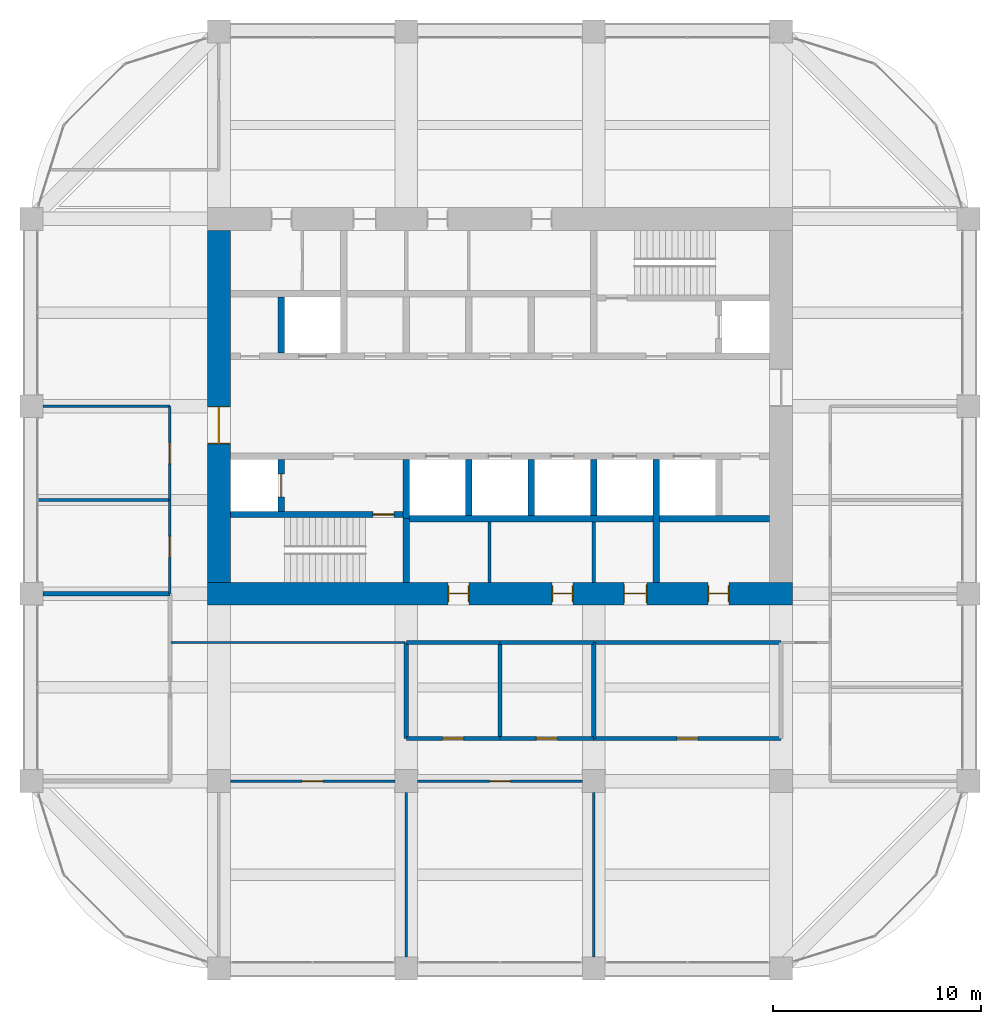
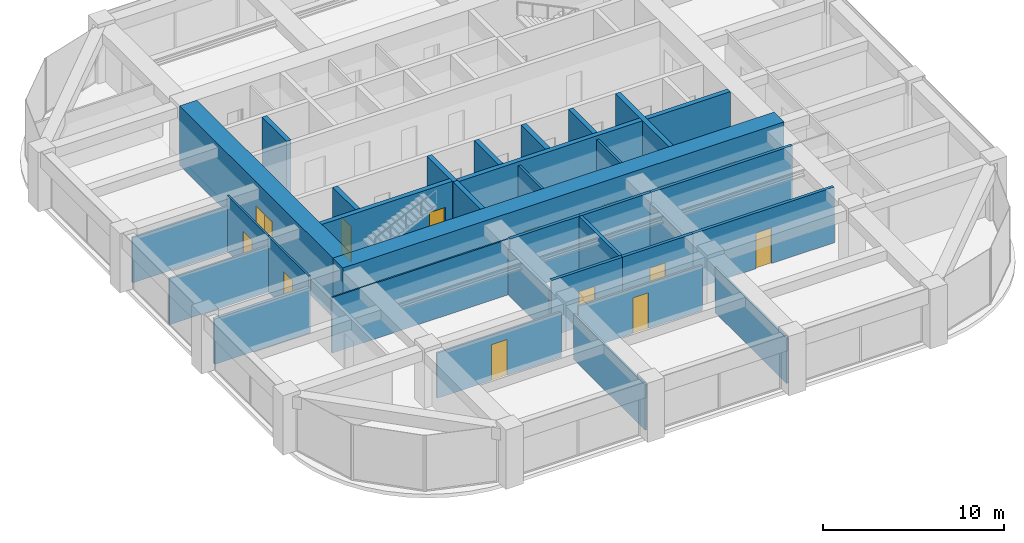
# One storey, part 41 of 44: 33 walls, 14 doors, 14 openings.
"""IFC4 building model written with IfcOpenShell, lengths in metres."""

from ifc_helpers import new_model, si_unit, direction, frame, frame_2d, origin, place, context, subcontext, project, spatial, rectangle, extrude, material, layer, layer_set, type_object, element, fill, save


model = new_model("IFC4")

# Units and contexts
model_context = context("Model", 3, precision=1e-05, world=origin(), true_north=direction((0.0, 1.0)))
body_context = subcontext(model_context, "Body", "Model", "MODEL_VIEW")
ifc_project = project(units=[si_unit("LENGTHUNIT", "METRE"), si_unit("AREAUNIT", "SQUARE_METRE"), si_unit("VOLUMEUNIT", "CUBIC_METRE"), si_unit("PLANEANGLEUNIT", "RADIAN"), si_unit("MASSUNIT", "GRAM", prefix="KILO")], contexts=[model_context])

# Site, building, storey
site_placement = place(None, origin())
site = spatial("IfcSite", under=ifc_project, at=site_placement, CompositionType="ELEMENT")
building_placement = place(site_placement, origin())
building = spatial("IfcBuilding", under=site, at=building_placement, Name="Zorevar Civic Tower", CompositionType="ELEMENT")
storey_placement = place(building_placement, frame((0.0, 0.0, 263.39990234375)))
storey = spatial("IfcBuildingStorey", under=building, at=storey_placement, Name="L64", CompositionType="ELEMENT", Elevation=263.39990234375)

# Wall, opening, door
ifc_material_1 = material(Name="Concrete blockwork", Category="masonry")
ifc_layer_1 = layer(ifc_material_1, 0.199951171875)
ifc_layer_set_1 = layer_set([ifc_layer_1], Name="Blockwork wall 200")
wall_type_1 = type_object("IfcWallType", Name="Blockwork wall 200", PredefinedType="SOLIDWALL", material=ifc_layer_set_1)
wall_1_placement = place(storey_placement, frame((36.0, 11.050048828125, 0.0), z_axis=(0.0, 0.0, 1.0), x_axis=(1.0, 0.0, 0.0)))
wall_1 = element("IfcWall", 1, at=wall_1_placement, inside=storey, type_object=wall_type_1, Name="Blockwork wall 200 L64", PredefinedType="SOLIDWALL", context=body_context, shape_type="SweptSolid", body=[
    extrude(rectangle(XDim=9.0, YDim=0.199951171875, at=frame_2d((4.5, 0.0))), origin(), (0.0, 0.0, 1.0), 3.75),
])
opening_1_placement = place(wall_1_placement, frame((4.0, 0.0, 0.0)))
opening_1 = element("IfcOpeningElement", 2, at=opening_1_placement, cuts=wall_1, Name="Opening L64.19", PredefinedType="OPENING", context=body_context, shape_type="SweptSolid", body=[
    extrude(rectangle(XDim=1.0, YDim=2.39990234375, at=frame_2d((0.5, 1.199951171875))), frame((0.0, 0.10986328125, 0.0), z_axis=(0.0, -1.0, 0.0), x_axis=(1.0, 0.0, 0.0)), (0.0, 0.0, 1.0), 0.219970703125),
])
ifc_material_2 = material(Name="Steel door set", Category="steel")
door_type_1 = type_object("IfcDoorType", Name="Security door SD1 1000x2400", OperationType="SINGLE_SWING_LEFT", PredefinedType="DOOR", material=ifc_material_2)
door_1_placement = place(opening_1_placement, origin())
door_1 = element("IfcDoor", 3, at=door_1_placement, inside=storey, type_object=door_type_1, Name="Door L64 D1", OperationType="SINGLE_SWING_RIGHT", OverallHeight=2.39990234375, OverallWidth=1.0, PredefinedType="DOOR", context=body_context, shape_type="SweptSolid", body=[
    extrude(rectangle(XDim=1.0, YDim=2.39990234375, at=frame_2d((0.5, 1.199951171875))), frame((0.0, 0.03515625, 0.0), z_axis=(0.0, -1.0, 0.0), x_axis=(1.0, 0.0, 0.0)), (0.0, 0.0, 1.0), 0.070068359375),
])
fill(opening_1, door_1)

wall_2_placement = place(storey_placement, frame((27.0, 11.050048828125, 0.0), z_axis=(0.0, 0.0, 1.0), x_axis=(1.0, 0.0, 0.0)))
wall_2 = element("IfcWall", 4, at=wall_2_placement, inside=storey, type_object=wall_type_1, Name="Blockwork wall 200 L64", PredefinedType="SOLIDWALL", context=body_context, shape_type="SweptSolid", body=[
    extrude(rectangle(XDim=4.5, YDim=0.199951171875, at=frame_2d((2.25, 0.0))), origin(), (0.0, 0.0, 1.0), 3.75),
])
opening_2_placement = place(wall_2_placement, frame((1.75, 0.0, 0.0)))
opening_2 = element("IfcOpeningElement", 5, at=opening_2_placement, cuts=wall_2, Name="Opening L64.20", PredefinedType="OPENING", context=body_context, shape_type="SweptSolid", body=[
    extrude(rectangle(XDim=1.0, YDim=2.39990234375, at=frame_2d((0.5, 1.199951171875))), frame((0.0, 0.10986328125, 0.0), z_axis=(0.0, -1.0, 0.0), x_axis=(1.0, 0.0, 0.0)), (0.0, 0.0, 1.0), 0.219970703125),
])
door_2_placement = place(opening_2_placement, origin())
door_2 = element("IfcDoor", 6, at=door_2_placement, inside=storey, type_object=door_type_1, Name="Door L64 D1", OperationType="SINGLE_SWING_LEFT", OverallHeight=2.39990234375, OverallWidth=1.0, PredefinedType="DOOR", context=body_context, shape_type="SweptSolid", body=[
    extrude(rectangle(XDim=1.0, YDim=2.39990234375, at=frame_2d((0.5, 1.199951171875))), frame((0.0, 0.03515625, 0.0), z_axis=(0.0, -1.0, 0.0), x_axis=(1.0, 0.0, 0.0)), (0.0, 0.0, 1.0), 0.070068359375),
])
fill(opening_2, door_2)

wall_3_placement = place(storey_placement, frame((31.5, 11.050048828125, 0.0), z_axis=(0.0, 0.0, 1.0), x_axis=(1.0, 0.0, 0.0)))
wall_3 = element("IfcWall", 7, at=wall_3_placement, inside=storey, type_object=wall_type_1, Name="Blockwork wall 200 L64", PredefinedType="SOLIDWALL", context=body_context, shape_type="SweptSolid", body=[
    extrude(rectangle(XDim=4.5, YDim=0.199951171875, at=frame_2d((2.25, 0.0))), origin(), (0.0, 0.0, 1.0), 3.75),
])
opening_3_placement = place(wall_3_placement, frame((1.75, 0.0, 0.0)))
opening_3 = element("IfcOpeningElement", 8, at=opening_3_placement, cuts=wall_3, Name="Opening L64.21", PredefinedType="OPENING", context=body_context, shape_type="SweptSolid", body=[
    extrude(rectangle(XDim=1.0, YDim=2.39990234375, at=frame_2d((0.5, 1.199951171875))), frame((0.0, 0.10986328125, 0.0), z_axis=(0.0, -1.0, 0.0), x_axis=(1.0, 0.0, 0.0)), (0.0, 0.0, 1.0), 0.219970703125),
])
door_3_placement = place(opening_3_placement, origin())
door_3 = element("IfcDoor", 9, at=door_3_placement, inside=storey, type_object=door_type_1, Name="Door L64 D1", OperationType="SINGLE_SWING_RIGHT", OverallHeight=2.39990234375, OverallWidth=1.0, PredefinedType="DOOR", context=body_context, shape_type="SweptSolid", body=[
    extrude(rectangle(XDim=1.0, YDim=2.39990234375, at=frame_2d((0.5, 1.199951171875))), frame((0.0, 0.03515625, 0.0), z_axis=(0.0, -1.0, 0.0), x_axis=(1.0, 0.0, 0.0)), (0.0, 0.0, 1.0), 0.070068359375),
])
fill(opening_3, door_3)

# Walls
wall_4_placement = place(storey_placement, frame((36.0, 15.64990234375, 0.0), z_axis=(0.0, 0.0, 1.0), x_axis=(1.0, 0.0, 0.0)))
element("IfcWall", 10, at=wall_4_placement, inside=storey, type_object=wall_type_1, Name="Blockwork wall 200 L64", PredefinedType="SOLIDWALL", context=body_context, shape_type="SweptSolid", body=[
    extrude(rectangle(XDim=9.0, YDim=0.199951171875, at=frame_2d((4.5, 0.0))), origin(), (0.0, 0.0, 1.0), 3.75),
])
for number, where, z_axis, x_axis, name in (
    (11, (27.0, 15.64990234375, 0.0), (0.0, 0.0, 1.0), (1.0, 0.0, 0.0), "Blockwork wall 200 L64"),
    (12, (31.5, 15.64990234375, 0.0), (0.0, 0.0, 1.0), (1.0, 0.0, 0.0), "Blockwork wall 200 L64"),
):
    element("IfcWall", number, at=place(storey_placement, frame(where, z_axis=z_axis, x_axis=x_axis)), inside=storey, type_object=wall_type_1, Name=name, PredefinedType="SOLIDWALL", context=body_context, shape_type="SweptSolid", body=[
        extrude(rectangle(XDim=4.5, YDim=0.199951171875, at=frame_2d((2.25, 0.0))), origin(), (0.0, 0.0, 1.0), 3.75),
    ])
wall_5_placement = place(storey_placement, frame((9.550048828125, 18.0, 0.0), z_axis=(0.0, 0.0, 1.0), x_axis=(1.0, 0.0, 0.0)))
element("IfcWall", 13, at=wall_5_placement, inside=storey, type_object=wall_type_1, Name="Blockwork wall 200 L64", PredefinedType="SOLIDWALL", context=body_context, shape_type="SweptSolid", body=[
    extrude(rectangle(XDim=6.099853515625, YDim=0.199951171875, at=frame_2d((3.0498046875, 0.0))), origin(), (0.0, 0.0, 1.0), 3.050048828125),
])
wall_6_placement = place(storey_placement, frame((27.0, 11.050048828125, 0.0), z_axis=(0.0, 0.0, 1.0), x_axis=(0.0, 1.0, 0.0)))
element("IfcWall", 14, at=wall_6_placement, inside=storey, type_object=wall_type_1, Name="Blockwork wall 200 L64", PredefinedType="SOLIDWALL", context=body_context, shape_type="SweptSolid", body=[
    extrude(rectangle(XDim=4.599853515625, YDim=0.199951171875, at=frame_2d((2.2998046875, 0.0))), origin(), (0.0, 0.0, 1.0), 3.050048828125),
])
wall_7_placement = place(storey_placement, frame((31.5, 11.050048828125, 0.0), z_axis=(0.0, 0.0, 1.0), x_axis=(0.0, 1.0, 0.0)))
element("IfcWall", 15, at=wall_7_placement, inside=storey, type_object=wall_type_1, Name="Blockwork wall 200 L64", PredefinedType="SOLIDWALL", context=body_context, shape_type="SweptSolid", body=[
    extrude(rectangle(XDim=4.599853515625, YDim=0.199951171875, at=frame_2d((2.2998046875, 0.0))), origin(), (0.0, 0.0, 1.0), 3.75),
])
wall_8_placement = place(storey_placement, frame((36.0, 11.050048828125, 0.0), z_axis=(0.0, 0.0, 1.0), x_axis=(0.0, 1.0, 0.0)))
element("IfcWall", 16, at=wall_8_placement, inside=storey, type_object=wall_type_1, Name="Blockwork wall 200 L64", PredefinedType="SOLIDWALL", context=body_context, shape_type="SweptSolid", body=[
    extrude(rectangle(XDim=4.599853515625, YDim=0.199951171875, at=frame_2d((2.2998046875, 0.0))), origin(), (0.0, 0.0, 1.0), 3.050048828125),
])

# Wall, openings, doors
ifc_material_3 = material(Name="Concrete C50/60", Category="concrete")
ifc_layer_2 = layer(ifc_material_3, 1.10009765625)
ifc_layer_set_2 = layer_set([ifc_layer_2], Name="Core wall 1100")
wall_type_2 = type_object("IfcWallType", Name="Core wall 1100", PredefinedType="SHEAR", material=ifc_layer_set_2)
wall_9_placement = place(storey_placement, frame((17.449951171875, 18.0, 0.0), z_axis=(0.0, 0.0, 1.0), x_axis=(1.0, 0.0, 0.0)))
wall_9 = element("IfcWall", 17, at=wall_9_placement, inside=storey, type_object=wall_type_2, Name="Core wall S L64", PredefinedType="SHEAR", context=body_context, shape_type="SweptSolid", body=[
    extrude(rectangle(XDim=28.10009765625, YDim=1.10009765625, at=frame_2d((14.050048828125, 0.0))), origin(), (0.0, 0.0, 1.0), 4.0),
])
opening_4_placement = place(wall_9_placement, frame((11.550048828125, 0.0, 0.0)))
opening_4 = element("IfcOpeningElement", 18, at=opening_4_placement, cuts=wall_9, Name="Opening L64.03", PredefinedType="OPENING", context=body_context, shape_type="SweptSolid", body=[
    extrude(rectangle(XDim=1.0, YDim=2.39990234375, at=frame_2d((0.5, 1.199951171875))), frame((0.0, 0.56005859375, 0.0), z_axis=(0.0, -1.0, 0.0), x_axis=(1.0, 0.0, 0.0)), (0.0, 0.0, 1.0), 1.1201171875),
])
opening_5_placement = place(wall_9_placement, frame((16.550048828125, 0.0, 0.0)))
opening_5 = element("IfcOpeningElement", 19, at=opening_5_placement, cuts=wall_9, Name="Opening L64.04", PredefinedType="OPENING", context=body_context, shape_type="SweptSolid", body=[
    extrude(rectangle(XDim=1.0, YDim=2.39990234375, at=frame_2d((0.5, 1.199951171875))), frame((0.0, 0.56005859375, 0.0), z_axis=(0.0, -1.0, 0.0), x_axis=(1.0, 0.0, 0.0)), (0.0, 0.0, 1.0), 1.1201171875),
])
opening_6_placement = place(wall_9_placement, frame((20.0, 0.0, 0.0)))
opening_6 = element("IfcOpeningElement", 20, at=opening_6_placement, cuts=wall_9, Name="Opening L64.05", PredefinedType="OPENING", context=body_context, shape_type="SweptSolid", body=[
    extrude(rectangle(XDim=1.10009765625, YDim=2.39990234375, at=frame_2d((0.550048828125, 1.199951171875))), frame((0.0, 0.56005859375, 0.0), z_axis=(0.0, -1.0, 0.0), x_axis=(1.0, 0.0, 0.0)), (0.0, 0.0, 1.0), 1.1201171875),
])
opening_7_placement = place(wall_9_placement, frame((24.050048828125, 0.0, 0.0)))
opening_7 = element("IfcOpeningElement", 21, at=opening_7_placement, cuts=wall_9, Name="Opening L64.06", PredefinedType="OPENING", context=body_context, shape_type="SweptSolid", body=[
    extrude(rectangle(XDim=1.0, YDim=2.39990234375, at=frame_2d((0.5, 1.199951171875))), frame((0.0, 0.56005859375, 0.0), z_axis=(0.0, -1.0, 0.0), x_axis=(1.0, 0.0, 0.0)), (0.0, 0.0, 1.0), 1.1201171875),
])
ifc_material_4 = material(Name="Timber door set", Category="wood")
door_type_2 = type_object("IfcDoorType", Name="Door D1 1000x2400", OperationType="SINGLE_SWING_LEFT", PredefinedType="DOOR", material=ifc_material_4)
door_4_placement = place(opening_4_placement, origin())
door_4 = element("IfcDoor", 22, at=door_4_placement, inside=storey, type_object=door_type_2, Name="Door L64 02", OperationType="SINGLE_SWING_LEFT", OverallHeight=2.39990234375, OverallWidth=1.0, PredefinedType="DOOR", context=body_context, shape_type="SweptSolid", body=[
    extrude(rectangle(XDim=1.0, YDim=2.39990234375, at=frame_2d((0.5, 1.199951171875))), frame((0.0, 0.02490234375, 0.0), z_axis=(0.0, -1.0, 0.0), x_axis=(1.0, 0.0, 0.0)), (0.0, 0.0, 1.0), 0.050048828125),
    extrude(rectangle(XDim=0.04, YDim=2.39990234375, at=frame_2d((0.02001953125, 1.199951171875))), frame((0.0, 0.39990234375, 0.0), z_axis=(0.0, -1.0, 0.0), x_axis=(1.0, 0.0, 0.0)), (0.0, 0.0, 1.0), 0.800048828125),
    extrude(rectangle(XDim=0.04, YDim=2.39990234375, at=frame_2d((0.97998046875, 1.199951171875))), frame((0.0, 0.39990234375, 0.0), z_axis=(0.0, -1.0, 0.0), x_axis=(1.0, 0.0, 0.0)), (0.0, 0.0, 1.0), 0.800048828125),
    extrude(rectangle(XDim=1.0, YDim=0.04, at=frame_2d((0.5, 2.3798828125))), frame((0.0, 0.39990234375, 0.0), z_axis=(0.0, -1.0, 0.0), x_axis=(1.0, 0.0, 0.0)), (0.0, 0.0, 1.0), 0.800048828125),
])
fill(opening_4, door_4)
door_5_placement = place(opening_5_placement, origin())
door_5 = element("IfcDoor", 23, at=door_5_placement, inside=storey, type_object=door_type_2, Name="Door L64 03", OperationType="SINGLE_SWING_RIGHT", OverallHeight=2.39990234375, OverallWidth=1.0, PredefinedType="DOOR", context=body_context, shape_type="SweptSolid", body=[
    extrude(rectangle(XDim=1.0, YDim=2.39990234375, at=frame_2d((0.5, 1.199951171875))), frame((0.0, 0.02490234375, 0.0), z_axis=(0.0, -1.0, 0.0), x_axis=(1.0, 0.0, 0.0)), (0.0, 0.0, 1.0), 0.050048828125),
    extrude(rectangle(XDim=0.04, YDim=2.39990234375, at=frame_2d((0.02001953125, 1.199951171875))), frame((0.0, 0.39990234375, 0.0), z_axis=(0.0, -1.0, 0.0), x_axis=(1.0, 0.0, 0.0)), (0.0, 0.0, 1.0), 0.800048828125),
    extrude(rectangle(XDim=0.04, YDim=2.39990234375, at=frame_2d((0.97998046875, 1.199951171875))), frame((0.0, 0.39990234375, 0.0), z_axis=(0.0, -1.0, 0.0), x_axis=(1.0, 0.0, 0.0)), (0.0, 0.0, 1.0), 0.800048828125),
    extrude(rectangle(XDim=1.0, YDim=0.04, at=frame_2d((0.5, 2.3798828125))), frame((0.0, 0.39990234375, 0.0), z_axis=(0.0, -1.0, 0.0), x_axis=(1.0, 0.0, 0.0)), (0.0, 0.0, 1.0), 0.800048828125),
])
fill(opening_5, door_5)
door_6_placement = place(opening_7_placement, origin())
door_6 = element("IfcDoor", 24, at=door_6_placement, inside=storey, type_object=door_type_2, Name="Door L64 05", OperationType="SINGLE_SWING_RIGHT", OverallHeight=2.39990234375, OverallWidth=1.0, PredefinedType="DOOR", context=body_context, shape_type="SweptSolid", body=[
    extrude(rectangle(XDim=1.0, YDim=2.39990234375, at=frame_2d((0.5, 1.199951171875))), frame((0.0, 0.02490234375, 0.0), z_axis=(0.0, -1.0, 0.0), x_axis=(1.0, 0.0, 0.0)), (0.0, 0.0, 1.0), 0.050048828125),
    extrude(rectangle(XDim=0.04, YDim=2.39990234375, at=frame_2d((0.02001953125, 1.199951171875))), frame((0.0, 0.39990234375, 0.0), z_axis=(0.0, -1.0, 0.0), x_axis=(1.0, 0.0, 0.0)), (0.0, 0.0, 1.0), 0.800048828125),
    extrude(rectangle(XDim=0.04, YDim=2.39990234375, at=frame_2d((0.97998046875, 1.199951171875))), frame((0.0, 0.39990234375, 0.0), z_axis=(0.0, -1.0, 0.0), x_axis=(1.0, 0.0, 0.0)), (0.0, 0.0, 1.0), 0.800048828125),
    extrude(rectangle(XDim=1.0, YDim=0.04, at=frame_2d((0.5, 2.3798828125))), frame((0.0, 0.39990234375, 0.0), z_axis=(0.0, -1.0, 0.0), x_axis=(1.0, 0.0, 0.0)), (0.0, 0.0, 1.0), 0.800048828125),
])
fill(opening_7, door_6)
ifc_material_5 = material(Name="Timber door set", Category="wood")
door_type_3 = type_object("IfcDoorType", Name="Door D5 1100x2400", OperationType="SINGLE_SWING_LEFT", PredefinedType="DOOR", material=ifc_material_5)
door_7_placement = place(opening_6_placement, origin())
door_7 = element("IfcDoor", 25, at=door_7_placement, inside=storey, type_object=door_type_3, Name="Door L64 04", OperationType="SINGLE_SWING_RIGHT", OverallHeight=2.39990234375, OverallWidth=1.10009765625, PredefinedType="DOOR", context=body_context, shape_type="SweptSolid", body=[
    extrude(rectangle(XDim=1.10009765625, YDim=2.39990234375, at=frame_2d((0.550048828125, 1.199951171875))), frame((0.0, 0.02490234375, 0.0), z_axis=(0.0, -1.0, 0.0), x_axis=(1.0, 0.0, 0.0)), (0.0, 0.0, 1.0), 0.050048828125),
    extrude(rectangle(XDim=0.04, YDim=2.39990234375, at=frame_2d((0.02001953125, 1.199951171875))), frame((0.0, 0.43994140625, 0.0), z_axis=(0.0, -1.0, 0.0), x_axis=(1.0, 0.0, 0.0)), (0.0, 0.0, 1.0), 0.880126953125),
    extrude(rectangle(XDim=0.04, YDim=2.39990234375, at=frame_2d((1.080078125, 1.199951171875))), frame((0.0, 0.43994140625, 0.0), z_axis=(0.0, -1.0, 0.0), x_axis=(1.0, 0.0, 0.0)), (0.0, 0.0, 1.0), 0.880126953125),
    extrude(rectangle(XDim=1.10009765625, YDim=0.04, at=frame_2d((0.550048828125, 2.3798828125))), frame((0.0, 0.43994140625, 0.0), z_axis=(0.0, -1.0, 0.0), x_axis=(1.0, 0.0, 0.0)), (0.0, 0.0, 1.0), 0.880126953125),
])
fill(opening_6, door_7)

# Wall, opening, door
wall_10_placement = place(storey_placement, frame((18.0, 35.449951171875, 0.0), z_axis=(0.0, 0.0, 1.0), x_axis=(0.0, -1.0, 0.0)))
wall_10 = element("IfcWall", 26, at=wall_10_placement, inside=storey, type_object=wall_type_2, Name="Core wall W L64", PredefinedType="SHEAR", context=body_context, shape_type="SweptSolid", body=[
    extrude(rectangle(XDim=16.89990234375, YDim=1.10009765625, at=frame_2d((8.449951171875, 0.0))), origin(), (0.0, 0.0, 1.0), 4.0),
])
opening_8_placement = place(wall_10_placement, frame((8.449951171875, 0.0, 0.0)))
opening_8 = element("IfcOpeningElement", 27, at=opening_8_placement, cuts=wall_10, Name="Opening L64.01", PredefinedType="OPENING", context=body_context, shape_type="SweptSolid", body=[
    extrude(rectangle(XDim=1.800048828125, YDim=2.39990234375, at=frame_2d((0.89990234375, 1.199951171875))), frame((0.0, 0.56005859375, 0.0), z_axis=(0.0, -1.0, 0.0), x_axis=(1.0, 0.0, 0.0)), (0.0, 0.0, 1.0), 1.1201171875),
])
ifc_material_6 = material(Name="Steel door set", Category="steel")
door_type_4 = type_object("IfcDoorType", Name="Fire door FD2 1800x2400", OperationType="DOUBLE_DOOR_DOUBLE_SWING", PredefinedType="DOOR", material=ifc_material_6)
door_8_placement = place(opening_8_placement, origin())
door_8 = element("IfcDoor", 28, at=door_8_placement, inside=storey, type_object=door_type_4, Name="Door L64 00", OperationType="DOUBLE_DOOR_DOUBLE_SWING", OverallHeight=2.39990234375, OverallWidth=1.800048828125, PredefinedType="DOOR", context=body_context, shape_type="SweptSolid", body=[
    extrude(rectangle(XDim=1.800048828125, YDim=2.39990234375, at=frame_2d((0.89990234375, 1.199951171875))), frame((0.0, 0.030029296875, 0.0), z_axis=(0.0, -1.0, 0.0), x_axis=(1.0, 0.0, 0.0)), (0.0, 0.0, 1.0), 0.06005859375),
    extrude(rectangle(XDim=0.04, YDim=2.39990234375, at=frame_2d((0.02001953125, 1.199951171875))), frame((0.0, 0.5498046875, 0.0), z_axis=(0.0, -1.0, 0.0), x_axis=(1.0, 0.0, 0.0)), (0.0, 0.0, 1.0), 1.099609375),
    extrude(rectangle(XDim=0.04, YDim=2.39990234375, at=frame_2d((1.780029296875, 1.199951171875))), frame((0.0, 0.5498046875, 0.0), z_axis=(0.0, -1.0, 0.0), x_axis=(1.0, 0.0, 0.0)), (0.0, 0.0, 1.0), 1.099609375),
    extrude(rectangle(XDim=1.800048828125, YDim=0.04, at=frame_2d((0.89990234375, 2.3798828125))), frame((0.0, 0.5498046875, 0.0), z_axis=(0.0, -1.0, 0.0), x_axis=(1.0, 0.0, 0.0)), (0.0, 0.0, 1.0), 1.099609375),
])
fill(opening_8, door_8)

# Wall
ifc_material_7 = material(Name="Laminated glass in black aluminium frame", Category="aluminium")
ifc_layer_3 = layer(ifc_material_7, 0.10009765625)
ifc_layer_set_3 = layer_set([ifc_layer_3], Name="Glazed partition 100")
wall_type_3 = type_object("IfcWallType", Name="Glazed partition 100", PredefinedType="PARTITIONING", material=ifc_layer_set_3)
wall_11_placement = place(storey_placement, frame((15.699951171875, 15.64990234375, 0.0), z_axis=(0.0, 0.0, 1.0), x_axis=(1.0, 0.0, 0.0)))
element("IfcWall", 29, at=wall_11_placement, inside=storey, type_object=wall_type_3, Name="Glazed partition 100 L64", PredefinedType="PARTITIONING", context=body_context, shape_type="SweptSolid", body=[
    extrude(rectangle(XDim=11.25, YDim=0.10009765625, at=frame_2d((5.625, 0.0))), origin(), (0.0, 0.0, 1.0), 3.75),
])

# Wall, opening, door
ifc_material_8 = material(Name="Concrete C40/50", Category="concrete")
ifc_layer_4 = layer(ifc_material_8, 0.300048828125)
ifc_layer_set_4 = layer_set([ifc_layer_4], Name="Inner core wall 300")
wall_type_4 = type_object("IfcWallType", Name="Inner core wall 300", PredefinedType="SHEAR", material=ifc_layer_set_4)
wall_12_placement = place(storey_placement, frame((18.550048828125, 21.800048828125, 0.0), z_axis=(0.0, 0.0, 1.0), x_axis=(1.0, 0.0, 0.0)))
wall_12 = element("IfcWall", 30, at=wall_12_placement, inside=storey, type_object=wall_type_4, Name="Inner core wall S00 L64", PredefinedType="SHEAR", context=body_context, shape_type="SweptSolid", body=[
    extrude(rectangle(XDim=8.300048828125, YDim=0.300048828125, at=frame_2d((4.14990234375, 0.0))), origin(), (0.0, 0.0, 1.0), 4.0),
])
opening_9_placement = place(wall_12_placement, frame((6.85009765625, 0.0, 0.0)))
opening_9 = element("IfcOpeningElement", 31, at=opening_9_placement, cuts=wall_12, Name="Opening L64.11", PredefinedType="OPENING", context=body_context, shape_type="SweptSolid", body=[
    extrude(rectangle(XDim=1.0, YDim=2.39990234375, at=frame_2d((0.5, 1.199951171875))), frame((0.0, 0.159912109375, 0.0), z_axis=(0.0, -1.0, 0.0), x_axis=(1.0, 0.0, 0.0)), (0.0, 0.0, 1.0), 0.320068359375),
])
ifc_material_9 = material(Name="Steel door set", Category="steel")
door_type_5 = type_object("IfcDoorType", Name="Fire door FD1 1000x2400", OperationType="SINGLE_SWING_LEFT", PredefinedType="DOOR", material=ifc_material_9)
door_9_placement = place(opening_9_placement, origin())
door_9 = element("IfcDoor", 32, at=door_9_placement, inside=storey, type_object=door_type_5, Name="Door L64 10", OperationType="SINGLE_SWING_RIGHT", OverallHeight=2.39990234375, OverallWidth=1.0, PredefinedType="DOOR", context=body_context, shape_type="SweptSolid", body=[
    extrude(rectangle(XDim=1.0, YDim=2.39990234375, at=frame_2d((0.5, 1.199951171875))), frame((0.0, 0.030029296875, 0.0), z_axis=(0.0, -1.0, 0.0), x_axis=(1.0, 0.0, 0.0)), (0.0, 0.0, 1.0), 0.06005859375),
])
fill(opening_9, door_9)

# Wall
wall_13_placement = place(storey_placement, frame((27.0, 18.550048828125, 0.0), z_axis=(0.0, 0.0, 1.0), x_axis=(0.0, 1.0, 0.0)))
element("IfcWall", 33, at=wall_13_placement, inside=storey, type_object=wall_type_4, Name="Inner core wall S01 L64", PredefinedType="SHEAR", context=body_context, shape_type="SweptSolid", body=[
    extrude(rectangle(XDim=3.050048828125, YDim=0.300048828125, at=frame_2d((1.52490234375, 0.0))), origin(), (0.0, 0.0, 1.0), 4.0),
])

# Wall, opening, door
wall_14_placement = place(storey_placement, frame((21.0, 21.949951171875, 0.0), z_axis=(0.0, 0.0, 1.0), x_axis=(0.0, 1.0, 0.0)))
wall_14 = element("IfcWall", 34, at=wall_14_placement, inside=storey, type_object=wall_type_4, Name="Inner core wall S02 L64", PredefinedType="SHEAR", context=body_context, shape_type="SweptSolid", body=[
    extrude(rectangle(XDim=2.5, YDim=0.300048828125, at=frame_2d((1.25, 0.0))), origin(), (0.0, 0.0, 1.0), 4.0),
])
opening_10_placement = place(wall_14_placement, frame((0.699951171875, 0.0, 0.0)))
opening_10 = element("IfcOpeningElement", 35, at=opening_10_placement, cuts=wall_14, Name="Opening L64.FL1", PredefinedType="OPENING", context=body_context, shape_type="SweptSolid", body=[
    extrude(rectangle(XDim=1.10009765625, YDim=2.39990234375, at=frame_2d((0.550048828125, 1.199951171875))), frame((0.0, 0.159912109375, 0.0), z_axis=(0.0, -1.0, 0.0), x_axis=(1.0, 0.0, 0.0)), (0.0, 0.0, 1.0), 0.320068359375),
])
ifc_material_10 = material(Name="Steel door set", Category="steel")
door_type_6 = type_object("IfcDoorType", Name="Firefighting lift landing door LD3 1100x2400", OperationType="DOUBLE_DOOR_SLIDING", PredefinedType="DOOR", material=ifc_material_10)
door_10_placement = place(opening_10_placement, origin())
door_10 = element("IfcDoor", 36, at=door_10_placement, inside=storey, type_object=door_type_6, Name="Landing door FL1 L64", OperationType="DOUBLE_DOOR_SLIDING", OverallHeight=2.39990234375, OverallWidth=1.10009765625, PredefinedType="DOOR", context=body_context, shape_type="SweptSolid", body=[
    extrude(rectangle(XDim=1.10009765625, YDim=2.39990234375, at=frame_2d((0.550048828125, 1.199951171875))), frame((0.0, 0.030029296875, 0.0), z_axis=(0.0, -1.0, 0.0), x_axis=(1.0, 0.0, 0.0)), (0.0, 0.0, 1.0), 0.06005859375),
])
fill(opening_10, door_10)

# Walls
wall_15_placement = place(storey_placement, frame((27.14990234375, 21.60009765625, 0.0), z_axis=(0.0, 0.0, 1.0), x_axis=(1.0, 0.0, 0.0)))
element("IfcWall", 37, at=wall_15_placement, inside=storey, type_object=wall_type_4, Name="Inner core wall S04 L64", PredefinedType="SHEAR", context=body_context, shape_type="SweptSolid", body=[
    extrude(rectangle(XDim=17.300048828125, YDim=0.300048828125, at=frame_2d((8.64990234375, 0.0))), origin(), (0.0, 0.0, 1.0), 4.0),
])
for number, where, z_axis, x_axis, name in (
    (38, (30.0, 21.75, 0.0), (0.0, 0.0, 1.0), (0.0, 1.0, 0.0), "Inner core wall S05 L64"),
    (39, (33.0, 21.75, 0.0), (0.0, 0.0, 1.0), (0.0, 1.0, 0.0), "Inner core wall S06 L64"),
    (40, (36.0, 21.75, 0.0), (0.0, 0.0, 1.0), (0.0, 1.0, 0.0), "Inner core wall S07 L64"),
):
    element("IfcWall", number, at=place(storey_placement, frame(where, z_axis=z_axis, x_axis=x_axis)), inside=storey, type_object=wall_type_4, Name=name, PredefinedType="SHEAR", context=body_context, shape_type="SweptSolid", body=[
        extrude(rectangle(XDim=2.699951171875, YDim=0.300048828125, at=frame_2d((1.35009765625, 0.0))), origin(), (0.0, 0.0, 1.0), 4.0),
    ])
wall_16_placement = place(storey_placement, frame((39.0, 18.550048828125, 0.0), z_axis=(0.0, 0.0, 1.0), x_axis=(0.0, 1.0, 0.0)))
element("IfcWall", 41, at=wall_16_placement, inside=storey, type_object=wall_type_4, Name="Inner core wall S08 L64", PredefinedType="SHEAR", context=body_context, shape_type="SweptSolid", body=[
    extrude(rectangle(XDim=5.89990234375, YDim=0.300048828125, at=frame_2d((2.949951171875, 0.0))), origin(), (0.0, 0.0, 1.0), 4.0),
])
wall_17_placement = place(storey_placement, frame((21.0, 29.550048828125, 0.0), z_axis=(0.0, 0.0, 1.0), x_axis=(0.0, 1.0, 0.0)))
element("IfcWall", 42, at=wall_17_placement, inside=storey, type_object=wall_type_4, Name="Inner core wall N09 L64", PredefinedType="SHEAR", context=body_context, shape_type="SweptSolid", body=[
    extrude(rectangle(XDim=2.699951171875, YDim=0.300048828125, at=frame_2d((1.35009765625, 0.0))), origin(), (0.0, 0.0, 1.0), 4.0),
])
wall_18_placement = place(storey_placement, frame((27.0, 21.60009765625, 0.0), z_axis=(0.0, 0.0, 1.0), x_axis=(0.0, 1.0, 0.0)))
element("IfcWall", 43, at=wall_18_placement, inside=storey, type_object=wall_type_4, Name="Inner core wall S10 L64", PredefinedType="SHEAR", context=body_context, shape_type="SweptSolid", body=[
    extrude(rectangle(XDim=2.849853515625, YDim=0.300048828125, at=frame_2d((1.4248046875, 0.0))), origin(), (0.0, 0.0, 1.0), 4.0),
])

# Wall, opening, door
ifc_material_11 = material(Name="Gypsum board on steel studs", Category="steel")
ifc_layer_5 = layer(ifc_material_11, 0.1201171875)
ifc_layer_set_5 = layer_set([ifc_layer_5], Name="Partition 120")
wall_type_5 = type_object("IfcWallType", Name="Partition 120", PredefinedType="PARTITIONING", material=ifc_layer_set_5)
wall_19_placement = place(storey_placement, frame((18.550048828125, 9.0, 0.0), z_axis=(0.0, 0.0, 1.0), x_axis=(1.0, 0.0, 0.0)))
wall_19 = element("IfcWall", 44, at=wall_19_placement, inside=storey, type_object=wall_type_5, Name="Partition 120 L64", PredefinedType="PARTITIONING", context=body_context, shape_type="SweptSolid", body=[
    extrude(rectangle(XDim=7.89990234375, YDim=0.1201171875, at=frame_2d((3.949951171875, 0.0))), origin(), (0.0, 0.0, 1.0), 3.050048828125),
])
opening_11_placement = place(wall_19_placement, frame((3.449951171875, 0.0, 0.0)))
opening_11 = element("IfcOpeningElement", 45, at=opening_11_placement, cuts=wall_19, Name="Opening L64.17", PredefinedType="OPENING", context=body_context, shape_type="SweptSolid", body=[
    extrude(rectangle(XDim=1.0, YDim=2.39990234375, at=frame_2d((0.5, 1.199951171875))), frame((0.0, 0.070068359375, 0.0), z_axis=(0.0, -1.0, 0.0), x_axis=(1.0, 0.0, 0.0)), (0.0, 0.0, 1.0), 0.14013671875),
])
door_11_placement = place(opening_11_placement, origin())
door_11 = element("IfcDoor", 46, at=door_11_placement, inside=storey, type_object=door_type_2, Name="Door L64 D1", OperationType="SINGLE_SWING_RIGHT", OverallHeight=2.39990234375, OverallWidth=1.0, PredefinedType="DOOR", context=body_context, shape_type="SweptSolid", body=[
    extrude(rectangle(XDim=1.0, YDim=2.39990234375, at=frame_2d((0.5, 1.199951171875))), frame((0.0, 0.02490234375, 0.0), z_axis=(0.0, -1.0, 0.0), x_axis=(1.0, 0.0, 0.0)), (0.0, 0.0, 1.0), 0.050048828125),
])
fill(opening_11, door_11)

wall_20_placement = place(storey_placement, frame((27.550048828125, 9.0, 0.0), z_axis=(0.0, 0.0, 1.0), x_axis=(1.0, 0.0, 0.0)))
wall_20 = element("IfcWall", 47, at=wall_20_placement, inside=storey, type_object=wall_type_5, Name="Partition 120 L64", PredefinedType="PARTITIONING", context=body_context, shape_type="SweptSolid", body=[
    extrude(rectangle(XDim=7.89990234375, YDim=0.1201171875, at=frame_2d((3.949951171875, 0.0))), origin(), (0.0, 0.0, 1.0), 3.050048828125),
])
opening_12_placement = place(wall_20_placement, frame((3.449951171875, 0.0, 0.0)))
opening_12 = element("IfcOpeningElement", 48, at=opening_12_placement, cuts=wall_20, Name="Opening L64.18", PredefinedType="OPENING", context=body_context, shape_type="SweptSolid", body=[
    extrude(rectangle(XDim=1.0, YDim=2.39990234375, at=frame_2d((0.5, 1.199951171875))), frame((0.0, 0.070068359375, 0.0), z_axis=(0.0, -1.0, 0.0), x_axis=(1.0, 0.0, 0.0)), (0.0, 0.0, 1.0), 0.14013671875),
])
door_12_placement = place(opening_12_placement, origin())
door_12 = element("IfcDoor", 49, at=door_12_placement, inside=storey, type_object=door_type_2, Name="Door L64 D1", OperationType="SINGLE_SWING_LEFT", OverallHeight=2.39990234375, OverallWidth=1.0, PredefinedType="DOOR", context=body_context, shape_type="SweptSolid", body=[
    extrude(rectangle(XDim=1.0, YDim=2.39990234375, at=frame_2d((0.5, 1.199951171875))), frame((0.0, 0.02490234375, 0.0), z_axis=(0.0, -1.0, 0.0), x_axis=(1.0, 0.0, 0.0)), (0.0, 0.0, 1.0), 0.050048828125),
])
fill(opening_12, door_12)

# Walls
wall_21_placement = place(storey_placement, frame((9.31005859375, 22.5, 0.0), z_axis=(0.0, 0.0, 1.0), x_axis=(1.0, 0.0, 0.0)))
element("IfcWall", 50, at=wall_21_placement, inside=storey, type_object=wall_type_5, Name="Partition 120 L64", PredefinedType="PARTITIONING", context=body_context, shape_type="SweptSolid", body=[
    extrude(rectangle(XDim=6.33984375, YDim=0.1201171875, at=frame_2d((3.169921875, 0.0))), origin(), (0.0, 0.0, 1.0), 3.10009765625),
])
wall_22_placement = place(storey_placement, frame((9.550048828125, 27.0, 0.0), z_axis=(0.0, 0.0, 1.0), x_axis=(1.0, 0.0, 0.0)))
element("IfcWall", 51, at=wall_22_placement, inside=storey, type_object=wall_type_5, Name="Partition 120 L64", PredefinedType="PARTITIONING", context=body_context, shape_type="SweptSolid", body=[
    extrude(rectangle(XDim=6.099853515625, YDim=0.1201171875, at=frame_2d((3.0498046875, 0.0))), origin(), (0.0, 0.0, 1.0), 3.050048828125),
])

# Wall, opening, door
wall_23_placement = place(storey_placement, frame((15.64990234375, 18.0, 0.0), z_axis=(0.0, 0.0, 1.0), x_axis=(0.0, 1.0, 0.0)))
wall_23 = element("IfcWall", 52, at=wall_23_placement, inside=storey, type_object=wall_type_5, Name="Partition 120 L64", PredefinedType="PARTITIONING", context=body_context, shape_type="SweptSolid", body=[
    extrude(rectangle(XDim=4.5, YDim=0.1201171875, at=frame_2d((2.25, 0.0))), origin(), (0.0, 0.0, 1.0), 3.75),
])
opening_13_placement = place(wall_23_placement, frame((1.75, 0.0, 0.0)))
opening_13 = element("IfcOpeningElement", 53, at=opening_13_placement, cuts=wall_23, Name="Opening L64.24", PredefinedType="OPENING", context=body_context, shape_type="SweptSolid", body=[
    extrude(rectangle(XDim=1.0, YDim=2.39990234375, at=frame_2d((0.5, 1.199951171875))), frame((0.0, 0.070068359375, 0.0), z_axis=(0.0, -1.0, 0.0), x_axis=(1.0, 0.0, 0.0)), (0.0, 0.0, 1.0), 0.14013671875),
])
door_13_placement = place(opening_13_placement, origin())
door_13 = element("IfcDoor", 54, at=door_13_placement, inside=storey, type_object=door_type_2, Name="Door L64 D1", OperationType="SINGLE_SWING_LEFT", OverallHeight=2.39990234375, OverallWidth=1.0, PredefinedType="DOOR", context=body_context, shape_type="SweptSolid", body=[
    extrude(rectangle(XDim=1.0, YDim=2.39990234375, at=frame_2d((0.5, 1.199951171875))), frame((0.0, 0.02490234375, 0.0), z_axis=(0.0, -1.0, 0.0), x_axis=(1.0, 0.0, 0.0)), (0.0, 0.0, 1.0), 0.050048828125),
])
fill(opening_13, door_13)

wall_24_placement = place(storey_placement, frame((15.64990234375, 22.5, 0.0), z_axis=(0.0, 0.0, 1.0), x_axis=(0.0, 1.0, 0.0)))
wall_24 = element("IfcWall", 55, at=wall_24_placement, inside=storey, type_object=wall_type_5, Name="Partition 120 L64", PredefinedType="PARTITIONING", context=body_context, shape_type="SweptSolid", body=[
    extrude(rectangle(XDim=4.5, YDim=0.1201171875, at=frame_2d((2.25, 0.0))), origin(), (0.0, 0.0, 1.0), 3.75),
])
opening_14_placement = place(wall_24_placement, frame((1.75, 0.0, 0.0)))
opening_14 = element("IfcOpeningElement", 56, at=opening_14_placement, cuts=wall_24, Name="Opening L64.25", PredefinedType="OPENING", context=body_context, shape_type="SweptSolid", body=[
    extrude(rectangle(XDim=1.0, YDim=2.39990234375, at=frame_2d((0.5, 1.199951171875))), frame((0.0, 0.070068359375, 0.0), z_axis=(0.0, -1.0, 0.0), x_axis=(1.0, 0.0, 0.0)), (0.0, 0.0, 1.0), 0.14013671875),
])
door_14_placement = place(opening_14_placement, origin())
door_14 = element("IfcDoor", 57, at=door_14_placement, inside=storey, type_object=door_type_2, Name="Door L64 D1", OperationType="SINGLE_SWING_LEFT", OverallHeight=2.39990234375, OverallWidth=1.0, PredefinedType="DOOR", context=body_context, shape_type="SweptSolid", body=[
    extrude(rectangle(XDim=1.0, YDim=2.39990234375, at=frame_2d((0.5, 1.199951171875))), frame((0.0, 0.02490234375, 0.0), z_axis=(0.0, -1.0, 0.0), x_axis=(1.0, 0.0, 0.0)), (0.0, 0.0, 1.0), 0.050048828125),
])
fill(opening_14, door_14)

# Walls
for number, where, z_axis, x_axis, name in (
    (58, (27.0, 0.550048828125, 0.0), (0.0, 0.0, 1.0), (0.0, 1.0, 0.0), "Partition 120 L64"),
    (59, (36.0, 0.550048828125, 0.0), (0.0, 0.0, 1.0), (0.0, 1.0, 0.0), "Partition 120 L64"),
):
    element("IfcWall", number, at=place(storey_placement, frame(where, z_axis=z_axis, x_axis=x_axis)), inside=storey, type_object=wall_type_5, Name=name, PredefinedType="PARTITIONING", context=body_context, shape_type="SweptSolid", body=[
        extrude(rectangle(XDim=7.89990234375, YDim=0.1201171875, at=frame_2d((3.949951171875, 0.0))), origin(), (0.0, 0.0, 1.0), 3.050048828125),
    ])
ifc_material_12 = material(Name="Gypsum board on steel studs, moisture resistant", Category="steel")
ifc_layer_6 = layer(ifc_material_12, 0.14990234375)
ifc_layer_set_6 = layer_set([ifc_layer_6], Name="WC partition 150")
wall_type_6 = type_object("IfcWallType", Name="WC partition 150", PredefinedType="PARTITIONING", material=ifc_layer_set_6)
for number, where, z_axis, x_axis, name in (
    (60, (31.0, 18.550048828125, 0.0), (0.0, 0.0, 1.0), (0.0, 1.0, 0.0), "WC partition L64"),
    (61, (36.0, 18.550048828125, 0.0), (0.0, 0.0, 1.0), (0.0, 1.0, 0.0), "WC partition L64"),
):
    element("IfcWall", number, at=place(storey_placement, frame(where, z_axis=z_axis, x_axis=x_axis)), inside=storey, type_object=wall_type_6, Name=name, PredefinedType="PARTITIONING", context=body_context, shape_type="SweptSolid", body=[
        extrude(rectangle(XDim=2.89990234375, YDim=0.14990234375, at=frame_2d((1.449951171875, 0.0))), origin(), (0.0, 0.0, 1.0), 3.75),
    ])

save(model, "model.ifc")
